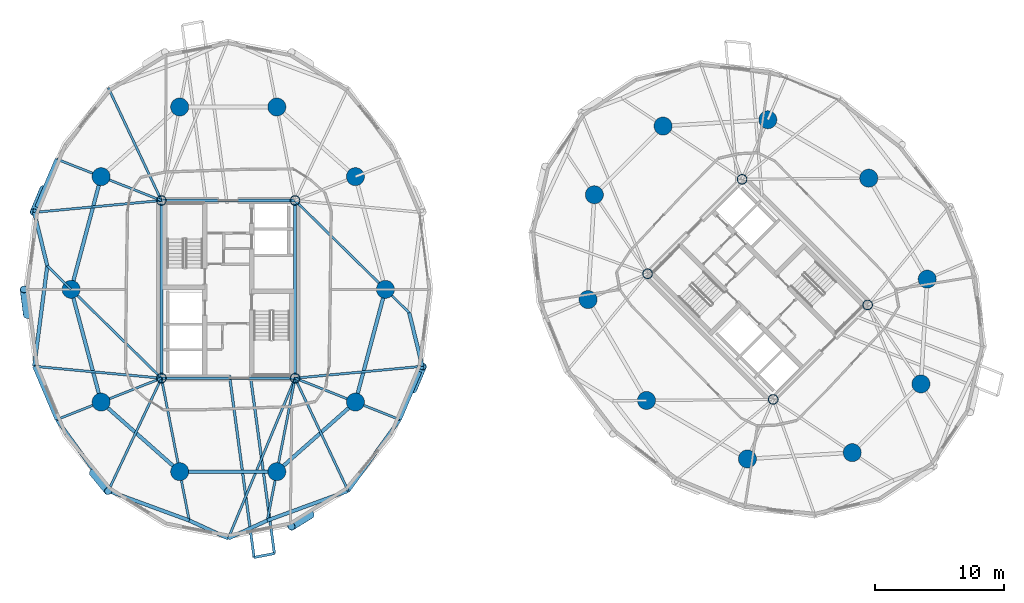
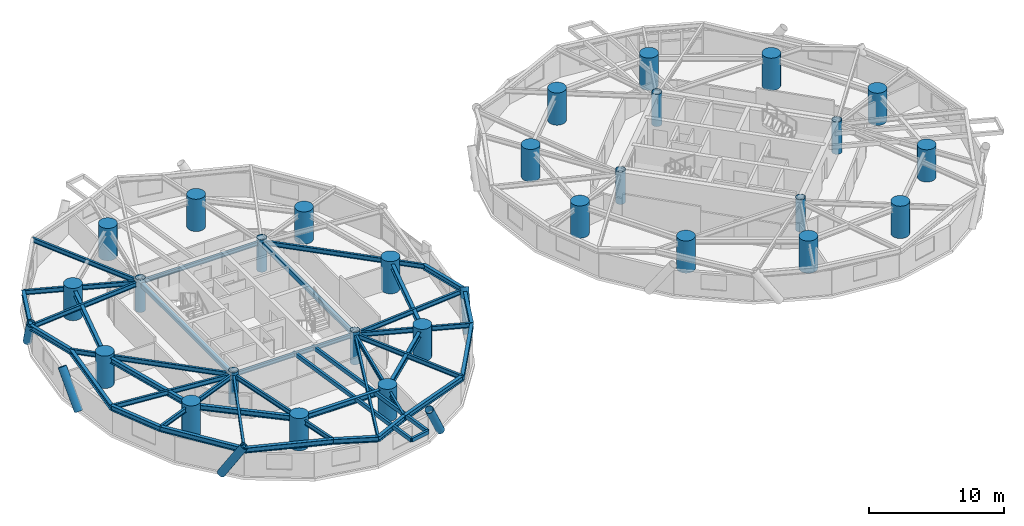
# One storey, part 1 of 16: 40 beams, 28 columns, 5 members.
"""IFC4 building model written with IfcOpenShell, lengths in metres."""

from ifc_helpers import new_model, si_unit, direction, frame, origin, origin_2d, place, context, subcontext, project, spatial, hollow_rectangle, circle, hollow_circle, i_section, extrude, material, material_profile, profile_set, type_object, element, save


model = new_model("IFC4")

# Units and contexts
model_context = context("Model", 3, precision=1e-05, world=origin(), true_north=direction((0.0, 1.0)))
body_context = subcontext(model_context, "Body", "Model", "MODEL_VIEW")
ifc_project = project(units=[si_unit("LENGTHUNIT", "METRE"), si_unit("AREAUNIT", "SQUARE_METRE"), si_unit("VOLUMEUNIT", "CUBIC_METRE"), si_unit("PLANEANGLEUNIT", "RADIAN"), si_unit("MASSUNIT", "GRAM", prefix="KILO")], contexts=[model_context])

# Site, building, storey
site_placement = place(None, origin())
site = spatial("IfcSite", under=ifc_project, at=site_placement, CompositionType="ELEMENT")
building_placement = place(site_placement, origin())
building = spatial("IfcBuilding", under=site, at=building_placement, Name="Cununo Teusaquillo Station Towers", CompositionType="ELEMENT")
storey_placement = place(building_placement, frame((0.0, 0.0, 73.06005859375)))
storey = spatial("IfcBuildingStorey", under=building, at=storey_placement, Name="L22", CompositionType="ELEMENT", Elevation=73.06005859375)

# Columns
ifc_material_1 = material(Name="Steel EN 10025-2 S355J2", Category="steel")
ifc_material_profile_1 = material_profile(ifc_material_1, hollow_circle(Radius=0.3798828125, WallThickness=0.031982421875, at=origin_2d()), Name="CHS 760x32")
ifc_profile_set_1 = profile_set([ifc_material_profile_1], Name="Steel EN 10025-2 S355J2")
column_type_1 = type_object("IfcColumnType", Name="COL-CORE-Z2", PredefinedType="COLUMN", material=ifc_profile_set_1)
for number, where, z_axis, x_axis, name in (
    (1, (11.324951171875, 17.6201171875, 0.0), (0.0, 0.0, 1.0), (1.0, 0.0, 0.0), "L22 Tower A Core Column 1"),
    (2, (11.324951171875, 31.3798828125, 0.0), (0.0, 0.0, 1.0), (1.0, 0.0, 0.0), "L22 Tower A Core Column 2"),
    (3, (21.675048828125, 17.6201171875, 0.0), (0.0, 0.0, 1.0), (1.0, 0.0, 0.0), "L22 Tower A Core Column 3"),
    (4, (21.675048828125, 31.3798828125, 0.0), (0.0, 0.0, 1.0), (1.0, 0.0, 0.0), "L22 Tower A Core Column 4"),
    (5, (58.70556640625, 15.975830078125, 0.0), (0.0, 0.0, 1.0), (0.707106781187, 0.707106781187, 0.0), "L22 Tower B Core Column 1"),
    (6, (48.975830078125, 25.70556640625, 0.0), (0.0, 0.0, 1.0), (0.707106781187, 0.707106781187, 0.0), "L22 Tower B Core Column 2"),
    (7, (66.024169921875, 23.29443359375, 0.0), (0.0, 0.0, 1.0), (0.707106781187, 0.707106781187, 0.0), "L22 Tower B Core Column 3"),
    (8, (56.29443359375, 33.024169921875, 0.0), (0.0, 0.0, 1.0), (0.707106781187, 0.707106781187, 0.0), "L22 Tower B Core Column 4"),
):
    element("IfcColumn", number, at=place(storey_placement, frame(where, z_axis=z_axis, x_axis=x_axis)), inside=storey, type_object=column_type_1, Name=name, PredefinedType="COLUMN", context=body_context, shape_type="SweptSolid", body=[
        extrude(hollow_circle(Radius=0.3798828125, WallThickness=0.031982421875, at=origin_2d()), origin(), (0.0, 0.0, 1.0), 2.909912109375),
    ])
ifc_material_2 = material(Name="Concrete C60/75", Category="concrete")
ifc_material_profile_2 = material_profile(ifc_material_2, circle(Radius=0.699951171875, at=origin_2d()), Name="RC-CIRC-1400")
ifc_profile_set_2 = profile_set([ifc_material_profile_2], Name="Concrete C60/75")
column_type_2 = type_object("IfcColumnType", Name="COL-MEGA-Z2", PredefinedType="USERDEFINED", material=ifc_profile_set_2)
for number, where, z_axis, x_axis, name in (
    (9, (28.672119140625, 24.5, 0.0), (0.0, 0.0, 1.0), (1.0, 0.0, 0.0), "L22 Tower A Perimeter Column V00"),
    (10, (26.347412109375, 33.228515625, 0.0), (0.0, 0.0, 1.0), (1.0, 0.0, 0.0), "L22 Tower A Perimeter Column V02"),
    (11, (20.261474609375, 38.623291015625, 0.0), (0.0, 0.0, 1.0), (1.0, 0.0, 0.0), "L22 Tower A Perimeter Column V04"),
    (12, (12.738525390625, 38.623291015625, 0.0), (0.0, 0.0, 1.0), (1.0, 0.0, 0.0), "L22 Tower A Perimeter Column V06"),
    (13, (6.652587890625, 33.228515625, 0.0), (0.0, 0.0, 1.0), (1.0, 0.0, 0.0), "L22 Tower A Perimeter Column V08"),
    (14, (4.327880859375, 24.5, 0.0), (0.0, 0.0, 1.0), (1.0, 0.0, 0.0), "L22 Tower A Perimeter Column V10"),
    (15, (6.652587890625, 15.771484375, 0.0), (0.0, 0.0, 1.0), (1.0, 0.0, 0.0), "L22 Tower A Perimeter Column V12"),
    (16, (12.738525390625, 10.376708984375, 0.0), (0.0, 0.0, 1.0), (1.0, 0.0, 0.0), "L22 Tower A Perimeter Column V14"),
    (17, (20.261474609375, 10.376708984375, 0.0), (0.0, 0.0, 1.0), (1.0, 0.0, 0.0), "L22 Tower A Perimeter Column V16"),
    (18, (26.347412109375, 15.771484375, 0.0), (0.0, 0.0, 1.0), (1.0, 0.0, 0.0), "L22 Tower A Perimeter Column V18"),
    (19, (66.10693359375, 33.10693359375, 0.0), (0.0, 0.0, 1.0), (1.0, 0.0, 0.0), "L22 Tower B Perimeter Column V00"),
    (20, (58.291015625, 37.63525390625, 0.0), (0.0, 0.0, 1.0), (1.0, 0.0, 0.0), "L22 Tower B Perimeter Column V02"),
    (21, (50.173095703125, 37.146240234375, 0.0), (0.0, 0.0, 1.0), (1.0, 0.0, 0.0), "L22 Tower B Perimeter Column V04"),
    (22, (44.853759765625, 31.826904296875, 0.0), (0.0, 0.0, 1.0), (1.0, 0.0, 0.0), "L22 Tower B Perimeter Column V06"),
    (23, (44.36474609375, 23.708984375, 0.0), (0.0, 0.0, 1.0), (1.0, 0.0, 0.0), "L22 Tower B Perimeter Column V08"),
    (24, (48.89306640625, 15.89306640625, 0.0), (0.0, 0.0, 1.0), (1.0, 0.0, 0.0), "L22 Tower B Perimeter Column V10"),
    (25, (56.708984375, 11.36474609375, 0.0), (0.0, 0.0, 1.0), (1.0, 0.0, 0.0), "L22 Tower B Perimeter Column V12"),
    (26, (64.826904296875, 11.853759765625, 0.0), (0.0, 0.0, 1.0), (1.0, 0.0, 0.0), "L22 Tower B Perimeter Column V14"),
    (27, (70.146240234375, 17.173095703125, 0.0), (0.0, 0.0, 1.0), (1.0, 0.0, 0.0), "L22 Tower B Perimeter Column V16"),
    (28, (70.63525390625, 25.291015625, 0.0), (0.0, 0.0, 1.0), (1.0, 0.0, 0.0), "L22 Tower B Perimeter Column V18"),
):
    element("IfcColumn", number, at=place(storey_placement, frame(where, z_axis=z_axis, x_axis=x_axis)), inside=storey, type_object=column_type_2, Name=name, ObjectType="MEGA COLUMN", PredefinedType="USERDEFINED", context=body_context, shape_type="SweptSolid", body=[
        extrude(circle(Radius=0.699951171875, at=origin_2d()), origin(), (0.0, 0.0, 1.0), 2.909912109375),
    ])

# Beams
ifc_material_3 = material(Name="Steel EN 10025-2 S355J2", Category="steel")
ifc_material_profile_3 = material_profile(ifc_material_3, hollow_rectangle(XDim=0.199951171875, YDim=0.35009765625, WallThickness=0.013916015625, at=origin_2d()), Name="RHS 350x200x14")
ifc_profile_set_3 = profile_set([ifc_material_profile_3], Name="Steel EN 10025-2 S355J2")
beam_type_1 = type_object("IfcBeamType", Name="BM-BAL-CANT", PredefinedType="BEAM", material=ifc_profile_set_3)
beam_1_placement = place(storey_placement, frame((16.59130859375, 17.85009765625, 2.494873046875), z_axis=(0.133936551357, -0.990989909237, 0.0), x_axis=(0.990989909237, 0.133936551357, 0.0)))
element("IfcBeam", 29, at=beam_1_placement, inside=storey, type_object=beam_type_1, Name="L22 Tower A Balcony Cantilever Bracket 2A", PredefinedType="BEAM", context=body_context, shape_type="SweptSolid", body=[
    extrude(hollow_rectangle(XDim=0.199951171875, YDim=0.35009765625, WallThickness=0.013916015625, at=origin_2d()), origin(), (0.0, 0.0, 1.0), 14.24169921875),
])
beam_2_placement = place(storey_placement, frame((18.206298828125, 17.85009765625, 2.494873046875), z_axis=(0.133960678738, -0.990986648019, 0.0), x_axis=(0.990986648019, 0.133960678738, 0.0)))
element("IfcBeam", 30, at=beam_2_placement, inside=storey, type_object=beam_type_1, Name="L22 Tower A Balcony Cantilever Bracket 2B", PredefinedType="BEAM", context=body_context, shape_type="SweptSolid", body=[
    extrude(hollow_rectangle(XDim=0.199951171875, YDim=0.35009765625, WallThickness=0.013916015625, at=origin_2d()), origin(), (0.0, 0.0, 1.0), 13.9345703125),
])
ifc_material_4 = material(Name="Steel EN 10025-2 S355J2", Category="steel")
ifc_material_profile_4 = material_profile(ifc_material_4, hollow_rectangle(XDim=0.25, YDim=0.449951171875, WallThickness=0.01611328125, at=origin_2d()), Name="RHS 450x250x16")
ifc_profile_set_4 = profile_set([ifc_material_profile_4], Name="Steel EN 10025-2 S355J2")
beam_type_2 = type_object("IfcBeamType", Name="BM-COUP-1", PredefinedType="USERDEFINED", material=ifc_profile_set_4)
for number, where, z_axis, x_axis, name in (
    (31, (11.324951171875, 17.6201171875, 2.44482421875), (0.0, 1.0, 0.0), (-1.0, 0.0, 0.0), "L22 Tower A Core Beam 1"),
    (32, (21.675048828125, 17.6201171875, 2.44482421875), (0.0, 1.0, 0.0), (-1.0, 0.0, 0.0), "L22 Tower A Core Beam 2"),
):
    element("IfcBeam", number, at=place(storey_placement, frame(where, z_axis=z_axis, x_axis=x_axis)), inside=storey, type_object=beam_type_2, Name=name, ObjectType="COUPLING BEAM", PredefinedType="USERDEFINED", context=body_context, shape_type="SweptSolid", body=[
        extrude(hollow_rectangle(XDim=0.25, YDim=0.449951171875, WallThickness=0.01611328125, at=origin_2d()), origin(), (0.0, 0.0, 1.0), 13.759765625),
    ])
ifc_material_5 = material(Name="Steel ASTM A572 Grade 50", Category="steel")
ifc_material_profile_5 = material_profile(ifc_material_5, i_section(OverallWidth=0.180908203125, OverallDepth=0.4169921875, WebThickness=0.010986328125, FlangeThickness=0.018310546875, FilletRadius=0.012939453125, at=origin_2d()), Name="W16X57")
ifc_profile_set_5 = profile_set([ifc_material_profile_5], Name="Steel ASTM A572 Grade 50")
beam_type_3 = type_object("IfcBeamType", Name="BM-JOIST-1", PredefinedType="JOIST", material=ifc_profile_set_5)
beam_3_placement = place(storey_placement, frame((11.324951171875, 31.3798828125, 2.46142578125), z_axis=(-0.426319838016, 0.904572493344, 0.0), x_axis=(-0.904572493344, -0.426319838016, 0.0)))
element("IfcBeam", 33, at=beam_3_placement, inside=storey, type_object=beam_type_3, Name="L22 Tower A Radial Spandrel Joist V07", PredefinedType="JOIST", context=body_context, shape_type="SweptSolid", body=[
    extrude(i_section(OverallWidth=0.180908203125, OverallDepth=0.4169921875, WebThickness=0.010986328125, FlangeThickness=0.018310546875, FilletRadius=0.012939453125, at=origin_2d()), origin(), (0.0, 0.0, 1.0), 9.646728515625),
])
for number, where, z_axis, x_axis, name in (
    (34, (11.324951171875, 31.3798828125, 2.46142578125), (-0.995678537907, -0.09286683558, 0.0), (0.09286683558, -0.995678537907, 0.0), "L22 Tower A Radial Spandrel Joist V09"),
    (35, (11.324951171875, 17.6201171875, 2.46142578125), (-0.995678537907, 0.09286683558, 0.0), (-0.09286683558, -0.995678537907, 0.0), "L22 Tower A Radial Spandrel Joist V11"),
):
    element("IfcBeam", number, at=place(storey_placement, frame(where, z_axis=z_axis, x_axis=x_axis)), inside=storey, type_object=beam_type_3, Name=name, PredefinedType="JOIST", context=body_context, shape_type="SweptSolid", body=[
        extrude(i_section(OverallWidth=0.180908203125, OverallDepth=0.4169921875, WebThickness=0.010986328125, FlangeThickness=0.018310546875, FilletRadius=0.012939453125, at=origin_2d()), origin(), (0.0, 0.0, 1.0), 9.895263671875),
    ])
beam_4_placement = place(storey_placement, frame((11.324951171875, 17.6201171875, 2.46142578125), z_axis=(-0.426319838016, -0.904572493344, 0.0), x_axis=(0.904572493344, -0.426319838016, 0.0)))
element("IfcBeam", 36, at=beam_4_placement, inside=storey, type_object=beam_type_3, Name="L22 Tower A Radial Spandrel Joist V13", PredefinedType="JOIST", context=body_context, shape_type="SweptSolid", body=[
    extrude(i_section(OverallWidth=0.180908203125, OverallDepth=0.4169921875, WebThickness=0.010986328125, FlangeThickness=0.018310546875, FilletRadius=0.012939453125, at=origin_2d()), origin(), (0.0, 0.0, 1.0), 9.646728515625),
])
beam_5_placement = place(storey_placement, frame((21.675048828125, 17.6201171875, 2.46142578125), z_axis=(-0.38487837995, -0.922967297713, 0.0), x_axis=(0.922967297713, -0.38487837995, 0.0)))
element("IfcBeam", 37, at=beam_5_placement, inside=storey, type_object=beam_type_3, Name="L22 Tower A Radial Spandrel Joist V15", PredefinedType="JOIST", context=body_context, shape_type="SweptSolid", body=[
    extrude(i_section(OverallWidth=0.180908203125, OverallDepth=0.4169921875, WebThickness=0.010986328125, FlangeThickness=0.018310546875, FilletRadius=0.012939453125, at=origin_2d()), origin(), (0.0, 0.0, 1.0), 13.446044921875),
])
beam_6_placement = place(storey_placement, frame((21.675048828125, 17.6201171875, 2.46142578125), z_axis=(0.426319838016, -0.904572493344, 0.0), x_axis=(0.904572493344, 0.426319838016, 0.0)))
element("IfcBeam", 38, at=beam_6_placement, inside=storey, type_object=beam_type_3, Name="L22 Tower A Radial Spandrel Joist V17", PredefinedType="JOIST", context=body_context, shape_type="SweptSolid", body=[
    extrude(i_section(OverallWidth=0.180908203125, OverallDepth=0.4169921875, WebThickness=0.010986328125, FlangeThickness=0.018310546875, FilletRadius=0.012939453125, at=origin_2d()), origin(), (0.0, 0.0, 1.0), 9.646728515625),
])
beam_7_placement = place(storey_placement, frame((21.675048828125, 17.6201171875, 2.46142578125), z_axis=(0.995678537907, 0.09286683558, 0.0), x_axis=(-0.09286683558, 0.995678537907, 0.0)))
element("IfcBeam", 39, at=beam_7_placement, inside=storey, type_object=beam_type_3, Name="L22 Tower A Radial Spandrel Joist V19", PredefinedType="JOIST", context=body_context, shape_type="SweptSolid", body=[
    extrude(i_section(OverallWidth=0.180908203125, OverallDepth=0.4169921875, WebThickness=0.010986328125, FlangeThickness=0.018310546875, FilletRadius=0.012939453125, at=origin_2d()), origin(), (0.0, 0.0, 1.0), 9.895263671875),
])
ifc_material_6 = material(Name="Steel ASTM A572 Grade 50", Category="steel")
ifc_material_profile_6 = material_profile(ifc_material_6, i_section(OverallWidth=0.2041015625, OverallDepth=0.35009765625, WebThickness=0.008544921875, FlangeThickness=0.01513671875, FilletRadius=0.011962890625, at=origin_2d()), Name="W14X48")
ifc_profile_set_6 = profile_set([ifc_material_profile_6], Name="Steel ASTM A572 Grade 50")
beam_type_4 = type_object("IfcBeamType", Name="BM-LINTEL-1", PredefinedType="LINTEL", material=ifc_profile_set_6)
for number, where, z_axis, x_axis, name in (
    (40, (11.324951171875, 17.6201171875, 2.494873046875), (1.0, 0.0, 0.0), (0.0, 1.0, 0.0), "L22 Tower A Core Beam 3"),
    (41, (11.324951171875, 31.3798828125, 2.494873046875), (1.0, 0.0, 0.0), (0.0, 1.0, 0.0), "L22 Tower A Core Beam 4"),
):
    element("IfcBeam", number, at=place(storey_placement, frame(where, z_axis=z_axis, x_axis=x_axis)), inside=storey, type_object=beam_type_4, Name=name, PredefinedType="LINTEL", context=body_context, shape_type="SweptSolid", body=[
        extrude(i_section(OverallWidth=0.2041015625, OverallDepth=0.35009765625, WebThickness=0.008544921875, FlangeThickness=0.01513671875, FilletRadius=0.011962890625, at=origin_2d()), origin(), (0.0, 0.0, 1.0), 10.35009765625),
    ])
ifc_material_7 = material(Name="Steel ASTM A572 Grade 50", Category="steel")
ifc_material_profile_7 = material_profile(ifc_material_7, i_section(OverallWidth=0.180908203125, OverallDepth=0.4169921875, WebThickness=0.010986328125, FlangeThickness=0.018310546875, FilletRadius=0.012939453125, at=origin_2d()), Name="W16X57")
ifc_profile_set_7 = profile_set([ifc_material_profile_7], Name="Steel ASTM A572 Grade 50")
beam_type_5 = type_object("IfcBeamType", Name="BM-RAD-G2", PredefinedType="BEAM", material=ifc_profile_set_7)
beam_8_placement = place(storey_placement, frame((21.675048828125, 31.3798828125, 2.46142578125), z_axis=(0.713047137857, -0.701116095375, 0.0), x_axis=(0.701116095375, 0.713047137857, 0.0)))
element("IfcBeam", 42, at=beam_8_placement, inside=storey, type_object=beam_type_5, Name="L22 Tower A Continuous Overhanging Radial Girder 01", PredefinedType="BEAM", context=body_context, shape_type="SweptSolid", body=[
    extrude(i_section(OverallWidth=0.180908203125, OverallDepth=0.4169921875, WebThickness=0.010986328125, FlangeThickness=0.018310546875, FilletRadius=0.012939453125, at=origin_2d()), origin(), (0.0, 0.0, 1.0), 12.400390625),
])
beam_9_placement = place(storey_placement, frame((11.324951171875, 31.3798828125, 2.46142578125), z_axis=(-0.929863123823, 0.367905654963, 0.0), x_axis=(-0.367905654963, -0.929863123823, 0.0)))
element("IfcBeam", 43, at=beam_9_placement, inside=storey, type_object=beam_type_5, Name="L22 Tower A Continuous Overhanging Radial Girder 05", PredefinedType="BEAM", context=body_context, shape_type="SweptSolid", body=[
    extrude(i_section(OverallWidth=0.180908203125, OverallDepth=0.4169921875, WebThickness=0.010986328125, FlangeThickness=0.018310546875, FilletRadius=0.012939453125, at=origin_2d()), origin(), (0.0, 0.0, 1.0), 8.715087890625),
])
beam_10_placement = place(storey_placement, frame((11.324951171875, 17.6201171875, 2.46142578125), z_axis=(-0.713052701438, 0.701110437073, 0.0), x_axis=(-0.701110437073, -0.713052701438, 0.0)))
element("IfcBeam", 44, at=beam_10_placement, inside=storey, type_object=beam_type_5, Name="L22 Tower A Radial Girder 06A", PredefinedType="BEAM", context=body_context, shape_type="SweptSolid", body=[
    extrude(i_section(OverallWidth=0.180908203125, OverallDepth=0.4169921875, WebThickness=0.010986328125, FlangeThickness=0.018310546875, FilletRadius=0.012939453125, at=origin_2d()), origin(), (0.0, 0.0, 1.0), 9.812744140625),
])
beam_11_placement = place(storey_placement, frame((4.327880859375, 24.5, 2.46142578125), z_axis=(-0.7130260383, 0.701137553342, 0.0), x_axis=(-0.701137553342, -0.7130260383, 0.0)))
element("IfcBeam", 45, at=beam_11_placement, inside=storey, type_object=beam_type_5, Name="L22 Tower A Perimeter Overhang Girder 06B", PredefinedType="BEAM", context=body_context, shape_type="SweptSolid", body=[
    extrude(i_section(OverallWidth=0.180908203125, OverallDepth=0.4169921875, WebThickness=0.010986328125, FlangeThickness=0.018310546875, FilletRadius=0.012939453125, at=origin_2d()), origin(), (0.0, 0.0, 1.0), 2.58740234375),
])
beam_12_placement = place(storey_placement, frame((11.324951171875, 17.6201171875, 2.46142578125), z_axis=(-0.929863123823, -0.367905654963, 0.0), x_axis=(0.367905654963, -0.929863123823, 0.0)))
element("IfcBeam", 46, at=beam_12_placement, inside=storey, type_object=beam_type_5, Name="L22 Tower A Continuous Overhanging Radial Girder 07", PredefinedType="BEAM", context=body_context, shape_type="SweptSolid", body=[
    extrude(i_section(OverallWidth=0.180908203125, OverallDepth=0.4169921875, WebThickness=0.010986328125, FlangeThickness=0.018310546875, FilletRadius=0.012939453125, at=origin_2d()), origin(), (0.0, 0.0, 1.0), 8.715087890625),
])
for number, where, z_axis, x_axis, name in (
    (47, (11.324951171875, 17.6201171875, 2.46142578125), (0.191552755713, -0.981482318628, 0.0), (0.981482318628, 0.191552755713, 0.0), "L22 Tower A Continuous Overhanging Radial Girder 08"),
    (48, (21.675048828125, 17.6201171875, 2.46142578125), (-0.191552755713, -0.981482318628, 0.0), (0.981482318628, -0.191552755713, 0.0), "L22 Tower A Continuous Overhanging Radial Girder 09"),
):
    element("IfcBeam", number, at=place(storey_placement, frame(where, z_axis=z_axis, x_axis=x_axis)), inside=storey, type_object=beam_type_5, Name=name, PredefinedType="BEAM", context=body_context, shape_type="SweptSolid", body=[
        extrude(i_section(OverallWidth=0.180908203125, OverallDepth=0.4169921875, WebThickness=0.010986328125, FlangeThickness=0.018310546875, FilletRadius=0.012939453125, at=origin_2d()), origin(), (0.0, 0.0, 1.0), 11.22998046875),
    ])
beam_13_placement = place(storey_placement, frame((21.675048828125, 17.6201171875, 2.46142578125), z_axis=(0.929863123823, -0.367905654963, 0.0), x_axis=(0.367905654963, 0.929863123823, 0.0)))
element("IfcBeam", 49, at=beam_13_placement, inside=storey, type_object=beam_type_5, Name="L22 Tower A Continuous Overhanging Radial Girder 10", PredefinedType="BEAM", context=body_context, shape_type="SweptSolid", body=[
    extrude(i_section(OverallWidth=0.180908203125, OverallDepth=0.4169921875, WebThickness=0.010986328125, FlangeThickness=0.018310546875, FilletRadius=0.012939453125, at=origin_2d()), origin(), (0.0, 0.0, 1.0), 8.715087890625),
])
ifc_material_8 = material(Name="Steel ASTM A572 Grade 50", Category="steel")
ifc_material_profile_8 = material_profile(ifc_material_8, i_section(OverallWidth=0.280029296875, OverallDepth=0.462890625, WebThickness=0.0107421875, FlangeThickness=0.017333984375, FilletRadius=0.013916015625, at=origin_2d()), Name="W18X76")
ifc_profile_set_8 = profile_set([ifc_material_profile_8], Name="Steel ASTM A572 Grade 50")
beam_type_6 = type_object("IfcBeamType", Name="BM-RING-Z2", PredefinedType="SPANDREL", material=ifc_profile_set_8)
for number, where, z_axis, x_axis, name in (
    (50, (6.652587890625, 33.228515625, 2.4384765625), (-0.257363196347, -0.966314744359, 0.0), (0.966314744359, -0.257363196347, 0.0), "L22 Tower A Structural Column Ring Girder 05"),
    (51, (4.327880859375, 24.5, 2.4384765625), (0.257363196347, -0.966314744359, 0.0), (0.966314744359, 0.257363196347, 0.0), "L22 Tower A Structural Column Ring Girder 06"),
):
    element("IfcBeam", number, at=place(storey_placement, frame(where, z_axis=z_axis, x_axis=x_axis)), inside=storey, type_object=beam_type_6, Name=name, PredefinedType="SPANDREL", context=body_context, shape_type="SweptSolid", body=[
        extrude(i_section(OverallWidth=0.280029296875, OverallDepth=0.462890625, WebThickness=0.0107421875, FlangeThickness=0.017333984375, FilletRadius=0.013916015625, at=origin_2d()), origin(), (0.0, 0.0, 1.0), 9.03271484375),
    ])
beam_14_placement = place(storey_placement, frame((6.652587890625, 15.771484375, 2.4384765625), z_axis=(0.74832120039, -0.66333655187, 0.0), x_axis=(0.66333655187, 0.74832120039, 0.0)))
element("IfcBeam", 52, at=beam_14_placement, inside=storey, type_object=beam_type_6, Name="L22 Tower A Structural Column Ring Girder 07", PredefinedType="SPANDREL", context=body_context, shape_type="SweptSolid", body=[
    extrude(i_section(OverallWidth=0.280029296875, OverallDepth=0.462890625, WebThickness=0.0107421875, FlangeThickness=0.017333984375, FilletRadius=0.013916015625, at=origin_2d()), origin(), (0.0, 0.0, 1.0), 8.1328125),
])
beam_15_placement = place(storey_placement, frame((12.738525390625, 10.376708984375, 2.4384765625), z_axis=(1.0, 0.0, 0.0), x_axis=(0.0, 1.0, 0.0)))
element("IfcBeam", 53, at=beam_15_placement, inside=storey, type_object=beam_type_6, Name="L22 Tower A Structural Column Ring Girder 08", PredefinedType="SPANDREL", context=body_context, shape_type="SweptSolid", body=[
    extrude(i_section(OverallWidth=0.280029296875, OverallDepth=0.462890625, WebThickness=0.0107421875, FlangeThickness=0.017333984375, FilletRadius=0.013916015625, at=origin_2d()), origin(), (0.0, 0.0, 1.0), 7.52294921875),
])
beam_16_placement = place(storey_placement, frame((20.261474609375, 10.376708984375, 2.4384765625), z_axis=(0.74832120039, 0.66333655187, 0.0), x_axis=(-0.66333655187, 0.74832120039, 0.0)))
element("IfcBeam", 54, at=beam_16_placement, inside=storey, type_object=beam_type_6, Name="L22 Tower A Structural Column Ring Girder 09", PredefinedType="SPANDREL", context=body_context, shape_type="SweptSolid", body=[
    extrude(i_section(OverallWidth=0.280029296875, OverallDepth=0.462890625, WebThickness=0.0107421875, FlangeThickness=0.017333984375, FilletRadius=0.013916015625, at=origin_2d()), origin(), (0.0, 0.0, 1.0), 8.1328125),
])
beam_17_placement = place(storey_placement, frame((26.347412109375, 15.771484375, 2.4384765625), z_axis=(0.257363196347, 0.966314744359, 0.0), x_axis=(-0.966314744359, 0.257363196347, 0.0)))
element("IfcBeam", 55, at=beam_17_placement, inside=storey, type_object=beam_type_6, Name="L22 Tower A Structural Column Ring Girder 10", PredefinedType="SPANDREL", context=body_context, shape_type="SweptSolid", body=[
    extrude(i_section(OverallWidth=0.280029296875, OverallDepth=0.462890625, WebThickness=0.0107421875, FlangeThickness=0.017333984375, FilletRadius=0.013916015625, at=origin_2d()), origin(), (0.0, 0.0, 1.0), 9.03271484375),
])
beam_18_placement = place(storey_placement, frame((3.22119140625, 34.586181640625, 2.4384765625), z_axis=(-0.390299356049, -0.920688010494, 0.0), x_axis=(0.920688010494, -0.390299356049, 0.0)))
element("IfcBeam", 56, at=beam_18_placement, inside=storey, type_object=beam_type_6, Name="L22 Tower A Spandrel Ring Beam 09", PredefinedType="SPANDREL", context=body_context, shape_type="SweptSolid", body=[
    extrude(i_section(OverallWidth=0.280029296875, OverallDepth=0.462890625, WebThickness=0.0107421875, FlangeThickness=0.017333984375, FilletRadius=0.013916015625, at=origin_2d()), origin(), (0.0, 0.0, 1.0), 4.480712890625),
])
beam_19_placement = place(storey_placement, frame((1.472412109375, 30.4609375, 2.4384765625), z_axis=(0.236757334703, -0.971568816124, 0.0), x_axis=(0.971568816124, 0.236757334703, 0.0)))
element("IfcBeam", 57, at=beam_19_placement, inside=storey, type_object=beam_type_6, Name="L22 Tower A Spandrel Ring Beam 10", PredefinedType="SPANDREL", context=body_context, shape_type="SweptSolid", body=[
    extrude(i_section(OverallWidth=0.280029296875, OverallDepth=0.462890625, WebThickness=0.0107421875, FlangeThickness=0.017333984375, FilletRadius=0.013916015625, at=origin_2d()), origin(), (0.0, 0.0, 1.0), 4.26806640625),
])
beam_20_placement = place(storey_placement, frame((2.48291015625, 26.314208984375, 2.4384765625), z_axis=(-0.12888124113, -0.991660035337, 0.0), x_axis=(0.991660035337, -0.12888124113, 0.0)))
element("IfcBeam", 58, at=beam_20_placement, inside=storey, type_object=beam_type_6, Name="L22 Tower A Spandrel Ring Beam 11", PredefinedType="SPANDREL", context=body_context, shape_type="SweptSolid", body=[
    extrude(i_section(OverallWidth=0.280029296875, OverallDepth=0.462890625, WebThickness=0.0107421875, FlangeThickness=0.017333984375, FilletRadius=0.013916015625, at=origin_2d()), origin(), (0.0, 0.0, 1.0), 7.840576171875),
])
beam_21_placement = place(storey_placement, frame((1.472412109375, 18.5390625, 2.4384765625), z_axis=(0.390299356049, -0.920688010494, 0.0), x_axis=(0.920688010494, 0.390299356049, 0.0)))
element("IfcBeam", 59, at=beam_21_placement, inside=storey, type_object=beam_type_6, Name="L22 Tower A Spandrel Ring Beam 12", PredefinedType="SPANDREL", context=body_context, shape_type="SweptSolid", body=[
    extrude(i_section(OverallWidth=0.280029296875, OverallDepth=0.462890625, WebThickness=0.0107421875, FlangeThickness=0.017333984375, FilletRadius=0.013916015625, at=origin_2d()), origin(), (0.0, 0.0, 1.0), 4.480712890625),
])
beam_22_placement = place(storey_placement, frame((3.22119140625, 14.413818359375, 2.4384765625), z_axis=(0.58594455724, -0.810351143543, 0.0), x_axis=(0.810351143543, 0.58594455724, 0.0)))
element("IfcBeam", 60, at=beam_22_placement, inside=storey, type_object=beam_type_6, Name="L22 Tower A Spandrel Ring Beam 13", PredefinedType="SPANDREL", context=body_context, shape_type="SweptSolid", body=[
    extrude(i_section(OverallWidth=0.280029296875, OverallDepth=0.462890625, WebThickness=0.0107421875, FlangeThickness=0.017333984375, FilletRadius=0.013916015625, at=origin_2d()), origin(), (0.0, 0.0, 1.0), 6.8115234375),
])
beam_23_placement = place(storey_placement, frame((7.21240234375, 8.89404296875, 2.4384765625), z_axis=(0.938914161016, -0.34415141761, 0.0), x_axis=(0.34415141761, 0.938914161016, 0.0)))
element("IfcBeam", 61, at=beam_23_placement, inside=storey, type_object=beam_type_6, Name="L22 Tower A Spandrel Ring Beam 14", PredefinedType="SPANDREL", context=body_context, shape_type="SweptSolid", body=[
    extrude(i_section(OverallWidth=0.280029296875, OverallDepth=0.462890625, WebThickness=0.0107421875, FlangeThickness=0.017333984375, FilletRadius=0.013916015625, at=origin_2d()), origin(), (0.0, 0.0, 1.0), 6.671142578125),
])
for number, where, z_axis, x_axis, name in (
    (62, (13.47607421875, 6.59814453125, 2.4384765625), (0.908812215281, -0.417205413862, 0.0), (0.417205413862, 0.908812215281, 0.0), "L22 Tower A Spandrel Ring Beam 15"),
    (63, (16.5, 5.2099609375, 2.4384765625), (0.908812215281, 0.417205413862, 0.0), (-0.417205413862, 0.908812215281, 0.0), "L22 Tower A Spandrel Ring Beam 16"),
):
    element("IfcBeam", number, at=place(storey_placement, frame(where, z_axis=z_axis, x_axis=x_axis)), inside=storey, type_object=beam_type_6, Name=name, PredefinedType="SPANDREL", context=body_context, shape_type="SweptSolid", body=[
        extrude(i_section(OverallWidth=0.280029296875, OverallDepth=0.462890625, WebThickness=0.0107421875, FlangeThickness=0.017333984375, FilletRadius=0.013916015625, at=origin_2d()), origin(), (0.0, 0.0, 1.0), 3.327392578125),
    ])
beam_24_placement = place(storey_placement, frame((19.52392578125, 6.59814453125, 2.4384765625), z_axis=(0.938914161016, 0.34415141761, 0.0), x_axis=(-0.34415141761, 0.938914161016, 0.0)))
element("IfcBeam", 64, at=beam_24_placement, inside=storey, type_object=beam_type_6, Name="L22 Tower A Spandrel Ring Beam 17", PredefinedType="SPANDREL", context=body_context, shape_type="SweptSolid", body=[
    extrude(i_section(OverallWidth=0.280029296875, OverallDepth=0.462890625, WebThickness=0.0107421875, FlangeThickness=0.017333984375, FilletRadius=0.013916015625, at=origin_2d()), origin(), (0.0, 0.0, 1.0), 6.671142578125),
])
beam_25_placement = place(storey_placement, frame((25.78759765625, 8.89404296875, 2.4384765625), z_axis=(0.58594455724, 0.810351143543, 0.0), x_axis=(-0.810351143543, 0.58594455724, 0.0)))
element("IfcBeam", 65, at=beam_25_placement, inside=storey, type_object=beam_type_6, Name="L22 Tower A Spandrel Ring Beam 18", PredefinedType="SPANDREL", context=body_context, shape_type="SweptSolid", body=[
    extrude(i_section(OverallWidth=0.280029296875, OverallDepth=0.462890625, WebThickness=0.0107421875, FlangeThickness=0.017333984375, FilletRadius=0.013916015625, at=origin_2d()), origin(), (0.0, 0.0, 1.0), 6.8115234375),
])
beam_26_placement = place(storey_placement, frame((29.77880859375, 14.413818359375, 2.4384765625), z_axis=(0.390299356049, 0.920688010494, 0.0), x_axis=(-0.920688010494, 0.390299356049, 0.0)))
element("IfcBeam", 66, at=beam_26_placement, inside=storey, type_object=beam_type_6, Name="L22 Tower A Spandrel Ring Beam 19", PredefinedType="SPANDREL", context=body_context, shape_type="SweptSolid", body=[
    extrude(i_section(OverallWidth=0.280029296875, OverallDepth=0.462890625, WebThickness=0.0107421875, FlangeThickness=0.017333984375, FilletRadius=0.013916015625, at=origin_2d()), origin(), (0.0, 0.0, 1.0), 4.480712890625),
])
beam_27_placement = place(storey_placement, frame((31.527587890625, 18.5390625, 2.4384765625), z_axis=(-0.236757334703, 0.971568816124, 0.0), x_axis=(-0.971568816124, -0.236757334703, 0.0)))
element("IfcBeam", 67, at=beam_27_placement, inside=storey, type_object=beam_type_6, Name="L22 Tower A Spandrel Ring Beam 20", PredefinedType="SPANDREL", context=body_context, shape_type="SweptSolid", body=[
    extrude(i_section(OverallWidth=0.280029296875, OverallDepth=0.462890625, WebThickness=0.0107421875, FlangeThickness=0.017333984375, FilletRadius=0.013916015625, at=origin_2d()), origin(), (0.0, 0.0, 1.0), 4.26806640625),
])
ifc_material_9 = material(Name="Steel EN 10025-2 S355J2", Category="steel")
ifc_material_profile_9 = material_profile(ifc_material_9, hollow_rectangle(XDim=0.199951171875, YDim=0.35009765625, WallThickness=0.013916015625, at=origin_2d()), Name="RHS 350x200x14")
ifc_profile_set_9 = profile_set([ifc_material_profile_9], Name="Steel EN 10025-2 S355J2")
beam_type_7 = type_object("IfcBeamType", Name="BM-STAIR-TRIM", PredefinedType="BEAM", material=ifc_profile_set_9)
beam_28_placement = place(storey_placement, frame((18.498779296875, 3.73681640625, 2.52490234375), z_axis=(0.981836621572, 0.189728354603, 0.0), x_axis=(-0.189728354603, 0.981836621572, 0.0)))
element("IfcBeam", 68, at=beam_28_placement, inside=storey, type_object=beam_type_7, Name="L22 Tower A Balcony Edge Trimmer Beam 2", PredefinedType="BEAM", context=body_context, shape_type="SweptSolid", body=[
    extrude(hollow_rectangle(XDim=0.199951171875, YDim=0.35009765625, WallThickness=0.013916015625, at=origin_2d()), origin(), (0.0, 0.0, 1.0), 1.603271484375),
])

# Members
ifc_material_10 = material(Name="Steel EN 10025-2 S355J2", Category="steel")
ifc_material_profile_10 = material_profile(ifc_material_10, hollow_circle(Radius=0.330078125, WallThickness=0.02490234375, at=origin_2d()), Name="CHS 660x25")
ifc_profile_set_10 = profile_set([ifc_material_profile_10], Name="Steel EN 10025-2 S355J2")
member_type = type_object("IfcMemberType", Name="MBR-DIAG-Z2", PredefinedType="BRACE", material=ifc_profile_set_10)
member_1_placement = place(storey_placement, frame((2.220458984375, 32.25341796875, -0.14013671875), z_axis=(-0.213801258435, -0.512313589893, 0.831759464931), x_axis=(0.922861086318, -0.385132983993, 0.0)))
element("IfcMember", 69, at=member_1_placement, inside=storey, type_object=member_type, Name="L22 Tower A Folded-Zigzag Diagrid Tube C08", PredefinedType="BRACE", context=body_context, shape_type="SweptSolid", body=[
    extrude(hollow_circle(Radius=0.330078125, WallThickness=0.02490234375, at=origin_2d()), origin(), (0.0, 0.0, 1.0), 3.498779296875),
])
member_2_placement = place(storey_placement, frame((0.956787109375, 22.512939453125, -0.14013671875), z_axis=(-0.072967432985, 0.562388197979, 0.823647538998), x_axis=(-0.991687829619, -0.128667200894, 0.0)))
element("IfcMember", 70, at=member_2_placement, inside=storey, type_object=member_type, Name="L22 Tower A Folded-Zigzag Diagrid Tube C10", PredefinedType="BRACE", context=body_context, shape_type="SweptSolid", body=[
    extrude(hollow_circle(Radius=0.330078125, WallThickness=0.02490234375, at=origin_2d()), origin(), (0.0, 0.0, 1.0), 3.533203125),
])
member_3_placement = place(storey_placement, frame((6.047119140625, 10.316650390625, -0.14013671875), z_axis=(0.338500543535, -0.413250087404, 0.845364860452), x_axis=(0.773602270202, 0.633671466565, 0.0)))
element("IfcMember", 71, at=member_3_placement, inside=storey, type_object=member_type, Name="L22 Tower A Folded-Zigzag Diagrid Tube C12", PredefinedType="BRACE", context=body_context, shape_type="SweptSolid", body=[
    extrude(hollow_circle(Radius=0.330078125, WallThickness=0.02490234375, at=origin_2d()), origin(), (0.0, 0.0, 1.0), 3.4423828125),
])
member_4_placement = place(storey_placement, frame((22.85107421875, 7.0673828125, -0.14013671875), z_axis=(-0.433741137774, -0.269808047292, 0.859693109789), x_axis=(0.528195574716, -0.849122744278, 0.0)))
element("IfcMember", 72, at=member_4_placement, inside=storey, type_object=member_type, Name="L22 Tower A Folded-Zigzag Diagrid Tube C16", PredefinedType="BRACE", context=body_context, shape_type="SweptSolid", body=[
    extrude(hollow_circle(Radius=0.330078125, WallThickness=0.02490234375, at=origin_2d()), origin(), (0.0, 0.0, 1.0), 3.385009765625),
])
member_5_placement = place(storey_placement, frame((30.779541015625, 16.74658203125, -0.14013671875), z_axis=(0.213801258435, 0.512313589893, 0.831759464931), x_axis=(-0.922861086318, 0.385132983993, 0.0)))
element("IfcMember", 73, at=member_5_placement, inside=storey, type_object=member_type, Name="L22 Tower A Folded-Zigzag Diagrid Tube C18", PredefinedType="BRACE", context=body_context, shape_type="SweptSolid", body=[
    extrude(hollow_circle(Radius=0.330078125, WallThickness=0.02490234375, at=origin_2d()), origin(), (0.0, 0.0, 1.0), 3.498779296875),
])

save(model, "model.ifc")
